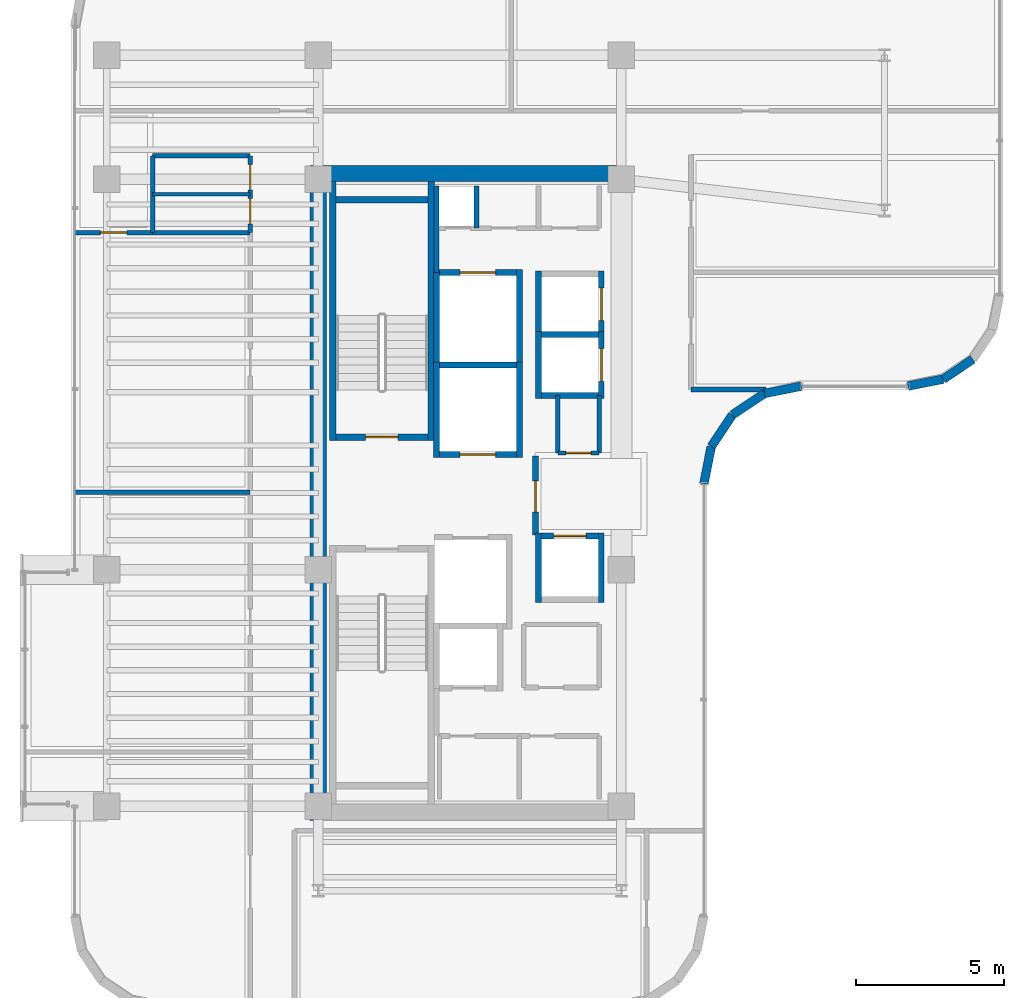
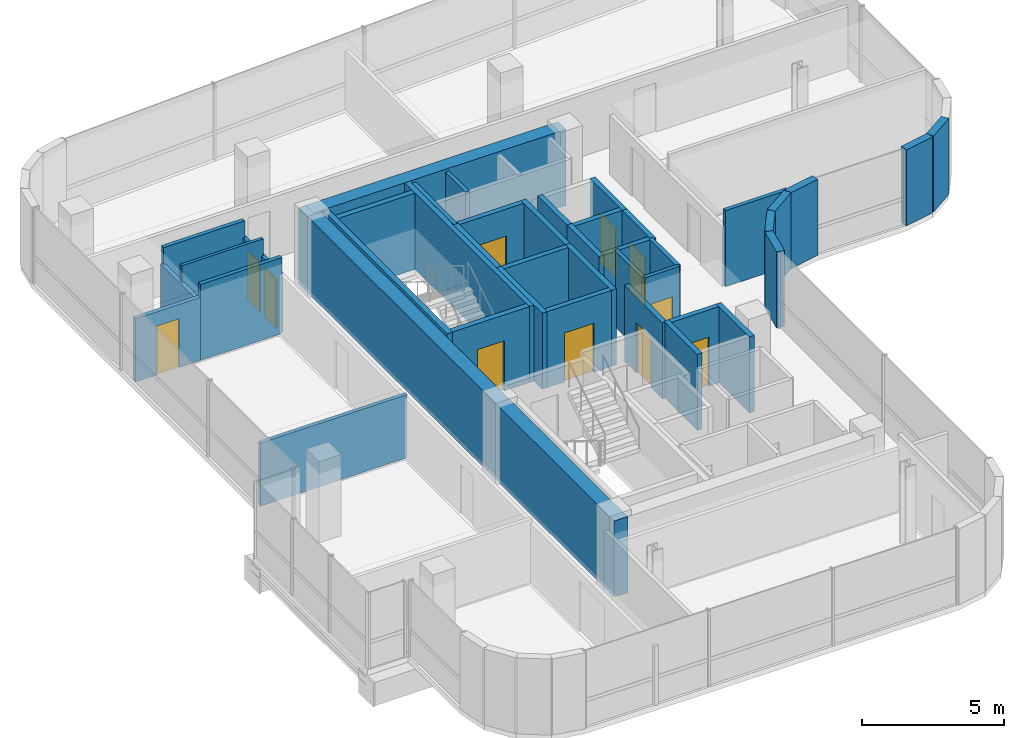
# One storey, part 19 of 22: 42 walls, 11 doors, 11 openings.
"""IFC4 building model written with IfcOpenShell, lengths in metres."""

from ifc_helpers import new_model, si_unit, direction, frame, frame_2d, origin, place, context, subcontext, project, spatial, rectangle, extrude, material, layer, layer_set, type_object, element, fill, save


model = new_model("IFC4")

# Units and contexts
model_context = context("Model", 3, precision=1e-05, world=origin(), true_north=direction((0.0, 1.0)))
body_context = subcontext(model_context, "Body", "Model", "MODEL_VIEW")
ifc_project = project(units=[si_unit("LENGTHUNIT", "METRE"), si_unit("AREAUNIT", "SQUARE_METRE"), si_unit("VOLUMEUNIT", "CUBIC_METRE"), si_unit("PLANEANGLEUNIT", "RADIAN"), si_unit("MASSUNIT", "GRAM", prefix="KILO")], contexts=[model_context])

# Site, building, storey
site_placement = place(None, origin())
site = spatial("IfcSite", under=ifc_project, at=site_placement, CompositionType="ELEMENT")
building_placement = place(site_placement, origin())
building = spatial("IfcBuilding", under=site, at=building_placement, Name="Valdorenza Pilgrim Sanctuary Tower", CompositionType="ELEMENT")
storey_placement = place(building_placement, frame((0.0, 0.0, 237.0)))
storey = spatial("IfcBuildingStorey", under=building, at=storey_placement, Name="L61", CompositionType="ELEMENT", Elevation=237.0)

# Walls
ifc_material_1 = material(Name="Acoustic twin-stud gypsum partition", Category="gypsum")
ifc_layer_1 = layer(ifc_material_1, 0.159912109375, Name="Acoustic twin-stud gypsum partition")
ifc_layer_set_1 = layer_set([ifc_layer_1], Name="Acoustic twin-stud gypsum partition")
wall_type_1 = type_object("IfcWallType", Name="WAL-COR-160", PredefinedType="PARTITIONING", material=ifc_layer_set_1)
wall_1_placement = place(storey_placement, frame((-18.64990234375, 7.449951171875, 0.0), z_axis=(0.0, 0.0, 1.0), x_axis=(0.0, 1.0, 0.0)))
element("IfcWall", 1, at=wall_1_placement, inside=storey, type_object=wall_type_1, Name="L61 Core A North Service West Wall", PredefinedType="PARTITIONING", context=body_context, shape_type="SweptSolid", body=[
    extrude(rectangle(XDim=2.929931640625, YDim=0.159912109375, at=frame_2d((1.46484375, 0.0))), origin(), (0.0, 0.0, 1.0), 3.260009765625),
])
wall_2_placement = place(storey_placement, frame((-17.300048828125, 8.949951171875, 0.0), z_axis=(0.0, 0.0, 1.0), x_axis=(0.0, 1.0, 0.0)))
element("IfcWall", 2, at=wall_2_placement, inside=storey, type_object=wall_type_1, Name="L61 Core Electrical Riser Wall", PredefinedType="PARTITIONING", context=body_context, shape_type="SweptSolid", body=[
    extrude(rectangle(XDim=1.429931640625, YDim=0.159912109375, at=frame_2d((0.71484375, 0.0))), origin(), (0.0, 0.0, 1.0), 3.260009765625),
])
wall_3_placement = place(storey_placement, frame((-13.14990234375, 1.35009765625, 0.0), z_axis=(0.0, 0.0, 1.0), x_axis=(0.0, 1.0, 0.0)))
element("IfcWall", 3, at=wall_3_placement, inside=storey, type_object=wall_type_1, Name="L61 Freed Shaft 6 East Wall", PredefinedType="PARTITIONING", context=body_context, shape_type="SweptSolid", body=[
    extrude(rectangle(XDim=1.949951171875, YDim=0.159912109375, at=frame_2d((0.97509765625, 0.0))), origin(), (0.0, 0.0, 1.0), 3.260009765625),
])
wall_4_placement = place(storey_placement, frame((-28.25, 8.800048828125, 0.0), z_axis=(0.0, 0.0, 1.0), x_axis=(0.0, 1.0, 0.0)))
element("IfcWall", 4, at=wall_4_placement, inside=storey, type_object=wall_type_1, Name="L61 Washroom West Wall", PredefinedType="PARTITIONING", context=body_context, shape_type="SweptSolid", body=[
    extrude(rectangle(XDim=2.599853515625, YDim=0.159912109375, at=frame_2d((1.2998046875, 0.0))), origin(), (0.0, 0.0, 1.0), 2.5439453125),
])

# Wall, openings, doors
wall_5_placement = place(storey_placement, frame((-24.949951171875, 8.800048828125, 0.0), z_axis=(0.0, 0.0, 1.0), x_axis=(0.0, 1.0, 0.0)))
wall_5 = element("IfcWall", 5, at=wall_5_placement, inside=storey, type_object=wall_type_1, Name="L61 Washroom East Wall", PredefinedType="PARTITIONING", context=body_context, shape_type="SweptSolid", body=[
    extrude(rectangle(XDim=2.599853515625, YDim=0.159912109375, at=frame_2d((1.2998046875, 0.0))), origin(), (0.0, 0.0, 1.0), 2.5439453125),
])
opening_1_placement = place(wall_5_placement, frame((0.300048828125, 0.0, 0.0)))
opening_1 = element("IfcOpeningElement", 6, at=opening_1_placement, cuts=wall_5, Name="Opening DR-WC1", PredefinedType="OPENING", context=body_context, shape_type="SweptSolid", body=[
    extrude(rectangle(XDim=0.85009765625, YDim=2.10009765625, at=frame_2d((0.425048828125, 1.050048828125))), frame((0.0, 0.0947265625, 0.0), z_axis=(0.0, -1.0, 0.0), x_axis=(1.0, 0.0, 0.0)), (0.0, 0.0, 1.0), 0.189697265625),
])
opening_2_placement = place(wall_5_placement, frame((1.449951171875, 0.0, 0.0)))
opening_2 = element("IfcOpeningElement", 7, at=opening_2_placement, cuts=wall_5, Name="Opening DR-WC1", PredefinedType="OPENING", context=body_context, shape_type="SweptSolid", body=[
    extrude(rectangle(XDim=0.85009765625, YDim=2.10009765625, at=frame_2d((0.425048828125, 1.050048828125))), frame((0.0, 0.0947265625, 0.0), z_axis=(0.0, -1.0, 0.0), x_axis=(1.0, 0.0, 0.0)), (0.0, 0.0, 1.0), 0.189697265625),
])
ifc_material_2 = material(Name="Moisture-resistant lacquered timber", Category="wood")
door_type_1 = type_object("IfcDoorType", Name="DR-BATH-850", OperationType="NOTDEFINED", PredefinedType="DOOR", material=ifc_material_2)
door_1_placement = place(opening_1_placement, origin())
door_1 = element("IfcDoor", 8, at=door_1_placement, inside=storey, type_object=door_type_1, Name="L61 Accessible Washroom Door", OperationType="SINGLE_SWING_RIGHT", OverallHeight=2.10009765625, OverallWidth=0.85009765625, PredefinedType="DOOR", context=body_context, shape_type="SweptSolid", body=[
    extrude(rectangle(XDim=0.85009765625, YDim=2.10009765625, at=frame_2d((0.425048828125, 1.050048828125))), frame((0.0, 0.02490234375, 0.0), z_axis=(0.0, -1.0, 0.0), x_axis=(1.0, 0.0, 0.0)), (0.0, 0.0, 1.0), 0.050048828125),
])
fill(opening_1, door_1)
door_2_placement = place(opening_2_placement, origin())
door_2 = element("IfcDoor", 9, at=door_2_placement, inside=storey, type_object=door_type_1, Name="L61 Public Washroom Door", OperationType="SINGLE_SWING_LEFT", OverallHeight=2.10009765625, OverallWidth=0.85009765625, PredefinedType="DOOR", context=body_context, shape_type="SweptSolid", body=[
    extrude(rectangle(XDim=0.85009765625, YDim=2.10009765625, at=frame_2d((0.425048828125, 1.050048828125))), frame((0.0, 0.02490234375, 0.0), z_axis=(0.0, -1.0, 0.0), x_axis=(1.0, 0.0, 0.0)), (0.0, 0.0, 1.0), 0.050048828125),
])
fill(opening_2, door_2)

# Walls
for number, where, z_axis, x_axis, name in (
    (10, (-28.25, 8.800048828125, 0.0), (0.0, 0.0, 1.0), (1.0, 0.0, 0.0), "L61 Washroom South Wall"),
    (11, (-28.25, 11.39990234375, 0.0), (0.0, 0.0, 1.0), (1.0, 0.0, 0.0), "L61 Washroom North Wall"),
):
    element("IfcWall", number, at=place(storey_placement, frame(where, z_axis=z_axis, x_axis=x_axis)), inside=storey, type_object=wall_type_1, Name=name, PredefinedType="PARTITIONING", context=body_context, shape_type="SweptSolid", body=[
        extrude(rectangle(XDim=3.300048828125, YDim=0.159912109375, at=frame_2d((1.64990234375, 0.0))), origin(), (0.0, 0.0, 1.0), 3.260009765625),
    ])

# Wall, opening, door
wall_6_placement = place(storey_placement, frame((-30.889892578125, 8.800048828125, 0.0), z_axis=(0.0, 0.0, 1.0), x_axis=(1.0, 0.0, 0.0)))
wall_6 = element("IfcWall", 12, at=wall_6_placement, inside=storey, type_object=wall_type_1, Name="L61 West North Alcove Wall", PredefinedType="PARTITIONING", context=body_context, shape_type="SweptSolid", body=[
    extrude(rectangle(XDim=2.639892578125, YDim=0.159912109375, at=frame_2d((1.31982421875, 0.0))), origin(), (0.0, 0.0, 1.0), 2.7060546875),
])
opening_3_placement = place(wall_6_placement, frame((0.8701171875, 0.0, 0.0)))
opening_3 = element("IfcOpeningElement", 13, at=opening_3_placement, cuts=wall_6, Name="Opening DR-RM1", PredefinedType="OPENING", context=body_context, shape_type="SweptSolid", body=[
    extrude(rectangle(XDim=0.89990234375, YDim=2.10009765625, at=frame_2d((0.449951171875, 1.050048828125))), frame((0.0, 0.0947265625, 0.0), z_axis=(0.0, -1.0, 0.0), x_axis=(1.0, 0.0, 0.0)), (0.0, 0.0, 1.0), 0.189697265625),
])
ifc_material_3 = material(Name="Solid-core European oak timber", Category="wood")
door_type_2 = type_object("IfcDoorType", Name="DR-ROOM-900", OperationType="NOTDEFINED", PredefinedType="DOOR", material=ifc_material_3)
door_3_placement = place(opening_3_placement, origin())
door_3 = element("IfcDoor", 14, at=door_3_placement, inside=storey, type_object=door_type_2, Name="L61 Pilgrim Scholar Office L61-WN Door", OperationType="SINGLE_SWING_RIGHT", OverallHeight=2.10009765625, OverallWidth=0.89990234375, PredefinedType="DOOR", context=body_context, shape_type="SweptSolid", body=[
    extrude(rectangle(XDim=0.89990234375, YDim=2.10009765625, at=frame_2d((0.449951171875, 1.050048828125))), frame((0.0, 0.02490234375, 0.0), z_axis=(0.0, -1.0, 0.0), x_axis=(1.0, 0.0, 0.0)), (0.0, 0.0, 1.0), 0.050048828125),
])
fill(opening_3, door_3)

# Walls
wall_7_placement = place(storey_placement, frame((-10.050048828125, 3.5, 0.0), z_axis=(0.0, 0.0, 1.0), x_axis=(1.0, 0.0, 0.0)))
element("IfcWall", 15, at=wall_7_placement, inside=storey, type_object=wall_type_1, Name="L61 East Stub South Wall", PredefinedType="PARTITIONING", context=body_context, shape_type="SweptSolid", body=[
    extrude(rectangle(XDim=2.545654296875, YDim=0.159912109375, at=frame_2d((1.27294921875, 0.0))), origin(), (0.0, 0.0, 1.0), 3.260009765625),
])
ifc_material_4 = material(Name="Concrete C50/60", Category="concrete")
ifc_layer_2 = layer(ifc_material_4, 0.550048828125, Name="Concrete C50/60")
ifc_layer_set_2 = layer_set([ifc_layer_2], Name="Concrete C50/60")
wall_type_2 = type_object("IfcWallType", Name="WAL-COR-550", PredefinedType="SHEAR", material=ifc_layer_set_2)
wall_8_placement = place(storey_placement, frame((-22.64990234375, -11.074951171875, 0.0), z_axis=(0.0, 0.0, 1.0), x_axis=(0.0, 1.0, 0.0)))
element("IfcWall", 16, at=wall_8_placement, inside=storey, type_object=wall_type_2, Name="L61 Split Core A Shear Wall W", PredefinedType="SHEAR", context=body_context, shape_type="SweptSolid", body=[
    extrude(rectangle(XDim=22.14990234375, YDim=0.550048828125, at=frame_2d((11.074951171875, 0.0))), origin(), (0.0, 0.0, 1.0), 3.260009765625),
])
wall_9_placement = place(storey_placement, frame((-22.64990234375, 10.800048828125, 0.0), z_axis=(0.0, 0.0, 1.0), x_axis=(1.0, 0.0, 0.0)))
element("IfcWall", 17, at=wall_9_placement, inside=storey, type_object=wall_type_2, Name="L61 Split Core A Shear Wall N", PredefinedType="SHEAR", context=body_context, shape_type="SweptSolid", body=[
    extrude(rectangle(XDim=10.25, YDim=0.550048828125, at=frame_2d((5.125, 0.0))), origin(), (0.0, 0.0, 1.0), 3.260009765625),
])
ifc_material_5 = material(Name="Honed travertine limestone", Category="masonry")
ifc_layer_3 = layer(ifc_material_5, 0.300048828125, Name="Honed travertine limestone")
ifc_layer_set_3 = layer_set([ifc_layer_3], Name="Honed travertine limestone")
wall_type_3 = type_object("IfcWallType", Name="WAL-EXT-300", PredefinedType="SOLIDWALL", material=ifc_layer_set_3)
wall_10_placement = place(storey_placement, frame((-0.5166015625, 4.5166015625, 0.0), z_axis=(0.0, 0.0, 1.0), x_axis=(-0.831426265255, -0.555635100982, 0.0)))
element("IfcWall", 18, at=wall_10_placement, inside=storey, type_object=wall_type_3, Name="L61 Rounded Wind-Corner Stone Pier 14", PredefinedType="SOLIDWALL", context=body_context, shape_type="SweptSolid", body=[
    extrude(rectangle(XDim=1.204833984375, YDim=0.300048828125, at=frame_2d((0.6025390625, 0.0))), origin(), (0.0, 0.0, 1.0), 3.260009765625),
])
wall_11_placement = place(storey_placement, frame((-1.518310546875, 3.84716796875, 0.0), z_axis=(0.0, 0.0, 1.0), x_axis=(-0.980804027463, -0.194996050505, 0.0)))
element("IfcWall", 19, at=wall_11_placement, inside=storey, type_object=wall_type_3, Name="L61 Rounded Wind-Corner Stone Pier 15", PredefinedType="SOLIDWALL", context=body_context, shape_type="SweptSolid", body=[
    extrude(rectangle(XDim=1.2158203125, YDim=0.300048828125, at=frame_2d((0.60791015625, 0.0))), origin(), (0.0, 0.0, 1.0), 3.260009765625),
])
wall_12_placement = place(storey_placement, frame((-6.310791015625, 3.610107421875, 0.0), z_axis=(0.0, 0.0, 1.0), x_axis=(-0.980778058848, -0.195126623715, 0.0)))
element("IfcWall", 20, at=wall_12_placement, inside=storey, type_object=wall_type_3, Name="L61 Rounded Wind-Corner Stone Pier 17", PredefinedType="SOLIDWALL", context=body_context, shape_type="SweptSolid", body=[
    extrude(rectangle(XDim=1.28125, YDim=0.300048828125, at=frame_2d((0.640625, 0.0))), origin(), (0.0, 0.0, 1.0), 3.260009765625),
])
for number, where, z_axis, x_axis, name in (
    (21, (-7.5673828125, 3.360107421875, 0.0), (0.0, 0.0, 1.0), (-0.831497739511, -0.555528135371, 0.0), "L61 Rounded Wind-Corner Stone Pier 18"),
    (22, (-8.64208984375, 2.64208984375, 0.0), (0.0, 0.0, 1.0), (-0.555528135371, -0.831497739511, 0.0), "L61 Rounded Wind-Corner Stone Pier 19"),
):
    element("IfcWall", number, at=place(storey_placement, frame(where, z_axis=z_axis, x_axis=x_axis)), inside=storey, type_object=wall_type_3, Name=name, PredefinedType="SOLIDWALL", context=body_context, shape_type="SweptSolid", body=[
        extrude(rectangle(XDim=1.29248046875, YDim=0.300048828125, at=frame_2d((0.646240234375, 0.0))), origin(), (0.0, 0.0, 1.0), 3.260009765625),
    ])
wall_13_placement = place(storey_placement, frame((-9.360107421875, 1.5673828125, 0.0), z_axis=(0.0, 0.0, 1.0), x_axis=(-0.195126623715, -0.980778058848, 0.0)))
element("IfcWall", 23, at=wall_13_placement, inside=storey, type_object=wall_type_3, Name="L61 Rounded Wind-Corner Stone Pier 20", PredefinedType="SOLIDWALL", context=body_context, shape_type="SweptSolid", body=[
    extrude(rectangle(XDim=1.28125, YDim=0.300048828125, at=frame_2d((0.640625, 0.0))), origin(), (0.0, 0.0, 1.0), 3.260009765625),
])

# Wall, opening, door
ifc_material_6 = material(Name="Gypsum shaftwall partition", Category="gypsum")
ifc_layer_4 = layer(ifc_material_6, 0.199951171875, Name="Gypsum shaftwall partition")
ifc_layer_set_4 = layer_set([ifc_layer_4], Name="Gypsum shaftwall partition")
wall_type_4 = type_object("IfcWallType", Name="WAL-FFL-200", PredefinedType="PARTITIONING", material=ifc_layer_set_4)
wall_14_placement = place(storey_placement, frame((-15.300048828125, -1.419921875, 0.0), z_axis=(0.0, 0.0, 1.0), x_axis=(0.0, 1.0, 0.0)))
wall_14 = element("IfcWall", 24, at=wall_14_placement, inside=storey, type_object=wall_type_4, Name="L61 Core A Firefighting Lobby East Wall", PredefinedType="PARTITIONING", context=body_context, shape_type="SweptSolid", body=[
    extrude(rectangle(XDim=2.669921875, YDim=0.199951171875, at=frame_2d((1.3349609375, 0.0))), origin(), (0.0, 0.0, 1.0), 3.260009765625),
])
opening_4_placement = place(wall_14_placement, frame((0.780029296875, 0.0, 0.0)))
opening_4 = element("IfcOpeningElement", 25, at=opening_4_placement, cuts=wall_14, Name="Opening DR-FL1", PredefinedType="OPENING", context=body_context, shape_type="SweptSolid", body=[
    extrude(rectangle(XDim=1.050048828125, YDim=2.14990234375, at=frame_2d((0.52490234375, 1.074951171875))), frame((0.0, 0.11474609375, 0.0), z_axis=(0.0, -1.0, 0.0), x_axis=(1.0, 0.0, 0.0)), (0.0, 0.0, 1.0), 0.229736328125),
])
ifc_material_7 = material(Name="Painted galvanized steel", Category="steel")
door_type_3 = type_object("IfcDoorType", Name="DR-FFL-1050", OperationType="NOTDEFINED", PredefinedType="DOOR", material=ifc_material_7)
door_4_placement = place(opening_4_placement, origin())
door_4 = element("IfcDoor", 26, at=door_4_placement, inside=storey, type_object=door_type_3, Name="L61 Core A Firefighting Lobby Door", OperationType="SINGLE_SWING_RIGHT", OverallHeight=2.14990234375, OverallWidth=1.050048828125, PredefinedType="DOOR", context=body_context, shape_type="SweptSolid", body=[
    extrude(rectangle(XDim=1.050048828125, YDim=2.14990234375, at=frame_2d((0.52490234375, 1.074951171875))), frame((0.0, 0.02490234375, 0.0), z_axis=(0.0, -1.0, 0.0), x_axis=(1.0, 0.0, 0.0)), (0.0, 0.0, 1.0), 0.050048828125),
])
fill(opening_4, door_4)

# Walls
ifc_material_8 = material(Name="Moisture-resistant gypsum partition", Category="gypsum")
ifc_layer_5 = layer(ifc_material_8, 0.1201171875, Name="Moisture-resistant gypsum partition")
ifc_layer_set_5 = layer_set([ifc_layer_5], Name="Moisture-resistant gypsum partition")
wall_type_5 = type_object("IfcWallType", Name="WAL-INT-120", PredefinedType="PARTITIONING", material=ifc_layer_set_5)
wall_15_placement = place(storey_placement, frame((-28.25, 10.10009765625, 0.0), z_axis=(0.0, 0.0, 1.0), x_axis=(1.0, 0.0, 0.0)))
element("IfcWall", 27, at=wall_15_placement, inside=storey, type_object=wall_type_5, Name="L61 Washroom Divider Wall", PredefinedType="PARTITIONING", context=body_context, shape_type="SweptSolid", body=[
    extrude(rectangle(XDim=3.300048828125, YDim=0.1201171875, at=frame_2d((1.64990234375, 0.0))), origin(), (0.0, 0.0, 1.0), 3.260009765625),
])
ifc_material_9 = material(Name="Autoclaved aerated concrete blockwork", Category="masonry")
ifc_layer_6 = layer(ifc_material_9, 0.199951171875, Name="Autoclaved aerated concrete blockwork")
ifc_layer_set_6 = layer_set([ifc_layer_6], Name="Autoclaved aerated concrete blockwork")
wall_type_6 = type_object("IfcWallType", Name="WAL-SHF-200", PredefinedType="MOVABLE", material=ifc_layer_set_6)
for number, where, z_axis, x_axis, name in (
    (28, (-18.64990234375, 1.199951171875, 0.0), (0.0, 0.0, 1.0), (0.0, 1.0, 0.0), "L61 Lift FFL-01 Hoistway Wall West"),
    (29, (-15.85009765625, 1.199951171875, 0.0), (0.0, 0.0, 1.0), (0.0, 1.0, 0.0), "L61 Lift FFL-01 Hoistway Wall East"),
):
    element("IfcWall", number, at=place(storey_placement, frame(where, z_axis=z_axis, x_axis=x_axis)), inside=storey, type_object=wall_type_6, Name=name, PredefinedType="MOVABLE", context=body_context, shape_type="SweptSolid", body=[
        extrude(rectangle(XDim=3.22509765625, YDim=0.199951171875, at=frame_2d((1.612548828125, 0.0))), origin(), (0.0, 0.0, 1.0), 3.260009765625),
    ])

# Wall, opening, door
wall_16_placement = place(storey_placement, frame((-18.550048828125, 1.300048828125, 0.0), z_axis=(0.0, 0.0, 1.0), x_axis=(1.0, 0.0, 0.0)))
wall_16 = element("IfcWall", 30, at=wall_16_placement, inside=storey, type_object=wall_type_6, Name="L61 Lift FFL-01 Hoistway Wall South", PredefinedType="MOVABLE", context=body_context, shape_type="SweptSolid", body=[
    extrude(rectangle(XDim=2.60009765625, YDim=0.199951171875, at=frame_2d((1.300048828125, 0.0))), origin(), (0.0, 0.0, 1.0), 3.260009765625),
])
opening_5_placement = place(wall_16_placement, frame((0.699951171875, 0.0, 0.0)))
opening_5 = element("IfcOpeningElement", 31, at=opening_5_placement, cuts=wall_16, Name="Opening LD-02", PredefinedType="OPENING", context=body_context, shape_type="SweptSolid", body=[
    extrude(rectangle(XDim=1.199951171875, YDim=2.10009765625, at=frame_2d((0.60009765625, 1.050048828125))), frame((0.0, 0.11474609375, 0.0), z_axis=(0.0, -1.0, 0.0), x_axis=(1.0, 0.0, 0.0)), (0.0, 0.0, 1.0), 0.229736328125),
])
ifc_material_10 = material(Name="Brushed stainless steel Grade 316", Category="steel")
door_type_4 = type_object("IfcDoorType", Name="DR-LFT-1200", OperationType="DOUBLE_DOOR_SLIDING", PredefinedType="DOOR", material=ifc_material_10)
door_5_placement = place(opening_5_placement, origin())
door_5 = element("IfcDoor", 32, at=door_5_placement, inside=storey, type_object=door_type_4, Name="L61 Lift FFL-01 Sliding Landing Door", OperationType="DOUBLE_DOOR_SLIDING", OverallHeight=2.10009765625, OverallWidth=1.199951171875, PredefinedType="DOOR", context=body_context, shape_type="SweptSolid", body=[
    extrude(rectangle(XDim=1.199951171875, YDim=2.10009765625, at=frame_2d((0.60009765625, 1.050048828125))), frame((0.0, 0.02490234375, 0.0), z_axis=(0.0, -1.0, 0.0), x_axis=(1.0, 0.0, 0.0)), (0.0, 0.0, 1.0), 0.050048828125),
])
fill(opening_5, door_5)

# Walls
wall_17_placement = place(storey_placement, frame((-18.550048828125, 4.324951171875, 0.0), z_axis=(0.0, 0.0, 1.0), x_axis=(1.0, 0.0, 0.0)))
element("IfcWall", 33, at=wall_17_placement, inside=storey, type_object=wall_type_6, Name="L61 Lift FFL-01 Hoistway Wall North", PredefinedType="MOVABLE", context=body_context, shape_type="SweptSolid", body=[
    extrude(rectangle(XDim=2.60009765625, YDim=0.199951171875, at=frame_2d((1.300048828125, 0.0))), origin(), (0.0, 0.0, 1.0), 3.260009765625),
])
for number, where, z_axis, x_axis, name in (
    (34, (-18.64990234375, 4.22509765625, 0.0), (0.0, 0.0, 1.0), (0.0, 1.0, 0.0), "L61 Lift SVL-01 Hoistway Wall West"),
    (35, (-15.85009765625, 4.22509765625, 0.0), (0.0, 0.0, 1.0), (0.0, 1.0, 0.0), "L61 Lift SVL-01 Hoistway Wall East"),
):
    element("IfcWall", number, at=place(storey_placement, frame(where, z_axis=z_axis, x_axis=x_axis)), inside=storey, type_object=wall_type_6, Name=name, PredefinedType="MOVABLE", context=body_context, shape_type="SweptSolid", body=[
        extrude(rectangle(XDim=3.324951171875, YDim=0.199951171875, at=frame_2d((1.66259765625, 0.0))), origin(), (0.0, 0.0, 1.0), 3.260009765625),
    ])

# Wall, opening, door
wall_18_placement = place(storey_placement, frame((-18.550048828125, 7.449951171875, 0.0), z_axis=(0.0, 0.0, 1.0), x_axis=(1.0, 0.0, 0.0)))
wall_18 = element("IfcWall", 36, at=wall_18_placement, inside=storey, type_object=wall_type_6, Name="L61 Lift SVL-01 Hoistway Wall North", PredefinedType="MOVABLE", context=body_context, shape_type="SweptSolid", body=[
    extrude(rectangle(XDim=2.60009765625, YDim=0.199951171875, at=frame_2d((1.300048828125, 0.0))), origin(), (0.0, 0.0, 1.0), 3.260009765625),
])
opening_6_placement = place(wall_18_placement, frame((0.699951171875, 0.0, 0.0)))
opening_6 = element("IfcOpeningElement", 37, at=opening_6_placement, cuts=wall_18, Name="Opening LD-02", PredefinedType="OPENING", context=body_context, shape_type="SweptSolid", body=[
    extrude(rectangle(XDim=1.199951171875, YDim=2.10009765625, at=frame_2d((0.60009765625, 1.050048828125))), frame((0.0, 0.11474609375, 0.0), z_axis=(0.0, -1.0, 0.0), x_axis=(1.0, 0.0, 0.0)), (0.0, 0.0, 1.0), 0.229736328125),
])
door_6_placement = place(opening_6_placement, origin())
door_6 = element("IfcDoor", 38, at=door_6_placement, inside=storey, type_object=door_type_4, Name="L61 Lift SVL-01 Sliding Landing Door", OperationType="DOUBLE_DOOR_SLIDING", OverallHeight=2.10009765625, OverallWidth=1.199951171875, PredefinedType="DOOR", context=body_context, shape_type="SweptSolid", body=[
    extrude(rectangle(XDim=1.199951171875, YDim=2.10009765625, at=frame_2d((0.60009765625, 1.050048828125))), frame((0.0, 0.02490234375, 0.0), z_axis=(0.0, -1.0, 0.0), x_axis=(1.0, 0.0, 0.0)), (0.0, 0.0, 1.0), 0.050048828125),
])
fill(opening_6, door_6)

# Wall
wall_19_placement = place(storey_placement, frame((-15.199951171875, 3.199951171875, 0.0), z_axis=(0.0, 0.0, 1.0), x_axis=(0.0, 1.0, 0.0)))
element("IfcWall", 39, at=wall_19_placement, inside=storey, type_object=wall_type_6, Name="L61 Lift PL-09 Hoistway Wall West", PredefinedType="MOVABLE", context=body_context, shape_type="SweptSolid", body=[
    extrude(rectangle(XDim=2.25, YDim=0.199951171875, at=frame_2d((1.125, 0.0))), origin(), (0.0, 0.0, 1.0), 3.260009765625),
])

# Wall, opening, door
wall_20_placement = place(storey_placement, frame((-13.080078125, 3.199951171875, 0.0), z_axis=(0.0, 0.0, 1.0), x_axis=(0.0, 1.0, 0.0)))
wall_20 = element("IfcWall", 40, at=wall_20_placement, inside=storey, type_object=wall_type_6, Name="L61 Lift PL-09 Hoistway Wall East", PredefinedType="MOVABLE", context=body_context, shape_type="SweptSolid", body=[
    extrude(rectangle(XDim=2.25, YDim=0.199951171875, at=frame_2d((1.125, 0.0))), origin(), (0.0, 0.0, 1.0), 3.260009765625),
])
opening_7_placement = place(wall_20_placement, frame((0.574951171875, 0.0, 0.0)))
opening_7 = element("IfcOpeningElement", 41, at=opening_7_placement, cuts=wall_20, Name="Opening LD-01", PredefinedType="OPENING", context=body_context, shape_type="SweptSolid", body=[
    extrude(rectangle(XDim=1.10009765625, YDim=2.10009765625, at=frame_2d((0.550048828125, 1.050048828125))), frame((0.0, 0.11474609375, 0.0), z_axis=(0.0, -1.0, 0.0), x_axis=(1.0, 0.0, 0.0)), (0.0, 0.0, 1.0), 0.229736328125),
])
door_type_5 = type_object("IfcDoorType", Name="DR-LFT-1100", OperationType="DOUBLE_DOOR_SLIDING", PredefinedType="DOOR", material=ifc_material_10)
door_7_placement = place(opening_7_placement, origin())
door_7 = element("IfcDoor", 42, at=door_7_placement, inside=storey, type_object=door_type_5, Name="L61 Lift PL-09 Sliding Landing Door", OperationType="DOUBLE_DOOR_SLIDING", OverallHeight=2.10009765625, OverallWidth=1.10009765625, PredefinedType="DOOR", context=body_context, shape_type="SweptSolid", body=[
    extrude(rectangle(XDim=1.10009765625, YDim=2.10009765625, at=frame_2d((0.550048828125, 1.050048828125))), frame((0.0, 0.02490234375, 0.0), z_axis=(0.0, -1.0, 0.0), x_axis=(1.0, 0.0, 0.0)), (0.0, 0.0, 1.0), 0.050048828125),
])
fill(opening_7, door_7)

# Walls
for number, where, z_axis, x_axis, name in (
    (43, (-15.10009765625, 3.300048828125, 0.0), (0.0, 0.0, 1.0), (1.0, 0.0, 0.0), "L61 Lift PL-09 Hoistway Wall South"),
    (44, (-15.10009765625, 5.35009765625, 0.0), (0.0, 0.0, 1.0), (1.0, 0.0, 0.0), "L61 Lift PL-09 Hoistway Wall North"),
):
    element("IfcWall", number, at=place(storey_placement, frame(where, z_axis=z_axis, x_axis=x_axis)), inside=storey, type_object=wall_type_6, Name=name, PredefinedType="MOVABLE", context=body_context, shape_type="SweptSolid", body=[
        extrude(rectangle(XDim=1.920166015625, YDim=0.199951171875, at=frame_2d((0.9599609375, 0.0))), origin(), (0.0, 0.0, 1.0), 3.260009765625),
    ])
wall_21_placement = place(storey_placement, frame((-15.199951171875, 5.25, 0.0), z_axis=(0.0, 0.0, 1.0), x_axis=(0.0, 1.0, 0.0)))
element("IfcWall", 45, at=wall_21_placement, inside=storey, type_object=wall_type_6, Name="L61 Lift PL-10 Hoistway Wall West", PredefinedType="MOVABLE", context=body_context, shape_type="SweptSolid", body=[
    extrude(rectangle(XDim=2.25, YDim=0.199951171875, at=frame_2d((1.125, 0.0))), origin(), (0.0, 0.0, 1.0), 3.260009765625),
])

# Wall, opening, door
wall_22_placement = place(storey_placement, frame((-13.080078125, 5.25, 0.0), z_axis=(0.0, 0.0, 1.0), x_axis=(0.0, 1.0, 0.0)))
wall_22 = element("IfcWall", 46, at=wall_22_placement, inside=storey, type_object=wall_type_6, Name="L61 Lift PL-10 Hoistway Wall East", PredefinedType="MOVABLE", context=body_context, shape_type="SweptSolid", body=[
    extrude(rectangle(XDim=2.25, YDim=0.199951171875, at=frame_2d((1.125, 0.0))), origin(), (0.0, 0.0, 1.0), 3.260009765625),
])
opening_8_placement = place(wall_22_placement, frame((0.574951171875, 0.0, 0.0)))
opening_8 = element("IfcOpeningElement", 47, at=opening_8_placement, cuts=wall_22, Name="Opening LD-01", PredefinedType="OPENING", context=body_context, shape_type="SweptSolid", body=[
    extrude(rectangle(XDim=1.10009765625, YDim=2.10009765625, at=frame_2d((0.550048828125, 1.050048828125))), frame((0.0, 0.11474609375, 0.0), z_axis=(0.0, -1.0, 0.0), x_axis=(1.0, 0.0, 0.0)), (0.0, 0.0, 1.0), 0.229736328125),
])
door_8_placement = place(opening_8_placement, origin())
door_8 = element("IfcDoor", 48, at=door_8_placement, inside=storey, type_object=door_type_5, Name="L61 Lift PL-10 Sliding Landing Door", OperationType="DOUBLE_DOOR_SLIDING", OverallHeight=2.10009765625, OverallWidth=1.10009765625, PredefinedType="DOOR", context=body_context, shape_type="SweptSolid", body=[
    extrude(rectangle(XDim=1.10009765625, YDim=2.10009765625, at=frame_2d((0.550048828125, 1.050048828125))), frame((0.0, 0.02490234375, 0.0), z_axis=(0.0, -1.0, 0.0), x_axis=(1.0, 0.0, 0.0)), (0.0, 0.0, 1.0), 0.050048828125),
])
fill(opening_8, door_8)

# Walls
for number, where, z_axis, x_axis, name in (
    (49, (-15.199951171875, -3.699951171875, 0.0), (0.0, 0.0, 1.0), (0.0, 1.0, 0.0), "L61 Lift PL-12 Hoistway Wall West"),
    (50, (-13.080078125, -3.699951171875, 0.0), (0.0, 0.0, 1.0), (0.0, 1.0, 0.0), "L61 Lift PL-12 Hoistway Wall East"),
):
    element("IfcWall", number, at=place(storey_placement, frame(where, z_axis=z_axis, x_axis=x_axis)), inside=storey, type_object=wall_type_6, Name=name, PredefinedType="MOVABLE", context=body_context, shape_type="SweptSolid", body=[
        extrude(rectangle(XDim=2.349853515625, YDim=0.199951171875, at=frame_2d((1.1748046875, 0.0))), origin(), (0.0, 0.0, 1.0), 3.260009765625),
    ])

# Wall, opening, door
wall_23_placement = place(storey_placement, frame((-15.10009765625, -1.449951171875, 0.0), z_axis=(0.0, 0.0, 1.0), x_axis=(1.0, 0.0, 0.0)))
wall_23 = element("IfcWall", 51, at=wall_23_placement, inside=storey, type_object=wall_type_6, Name="L61 Lift PL-12 Hoistway Wall North", PredefinedType="MOVABLE", context=body_context, shape_type="SweptSolid", body=[
    extrude(rectangle(XDim=1.920166015625, YDim=0.199951171875, at=frame_2d((0.9599609375, 0.0))), origin(), (0.0, 0.0, 1.0), 3.260009765625),
])
opening_9_placement = place(wall_23_placement, frame((0.409912109375, 0.0, 0.0)))
opening_9 = element("IfcOpeningElement", 52, at=opening_9_placement, cuts=wall_23, Name="Opening LD-01", PredefinedType="OPENING", context=body_context, shape_type="SweptSolid", body=[
    extrude(rectangle(XDim=1.10009765625, YDim=2.10009765625, at=frame_2d((0.550048828125, 1.050048828125))), frame((0.0, 0.11474609375, 0.0), z_axis=(0.0, -1.0, 0.0), x_axis=(1.0, 0.0, 0.0)), (0.0, 0.0, 1.0), 0.229736328125),
])
door_9_placement = place(opening_9_placement, origin())
door_9 = element("IfcDoor", 53, at=door_9_placement, inside=storey, type_object=door_type_5, Name="L61 Lift PL-12 Sliding Landing Door", OperationType="DOUBLE_DOOR_SLIDING", OverallHeight=2.10009765625, OverallWidth=1.10009765625, PredefinedType="DOOR", context=body_context, shape_type="SweptSolid", body=[
    extrude(rectangle(XDim=1.10009765625, YDim=2.10009765625, at=frame_2d((0.550048828125, 1.050048828125))), frame((0.0, 0.02490234375, 0.0), z_axis=(0.0, -1.0, 0.0), x_axis=(1.0, 0.0, 0.0)), (0.0, 0.0, 1.0), 0.050048828125),
])
fill(opening_9, door_9)

# Walls
ifc_material_11 = material(Name="Concrete C40/50", Category="concrete")
ifc_layer_7 = layer(ifc_material_11, 0.219970703125, Name="Concrete C40/50")
ifc_layer_set_7 = layer_set([ifc_layer_7], Name="Concrete C40/50")
wall_type_7 = type_object("IfcWallType", Name="WAL-STR-SHF-220", PredefinedType="SHEAR", material=ifc_layer_set_7)
for number, where, z_axis, x_axis, name in (
    (54, (-22.159912109375, 1.780029296875, 0.0), (0.0, 0.0, 1.0), (0.0, 1.0, 0.0), "L61 ST-A1 Structural Stairwell Wall W"),
    (55, (-18.830078125, 1.780029296875, 0.0), (0.0, 0.0, 1.0), (0.0, 1.0, 0.0), "L61 ST-A1 Structural Stairwell Wall E"),
):
    element("IfcWall", number, at=place(storey_placement, frame(where, z_axis=z_axis, x_axis=x_axis)), inside=storey, type_object=wall_type_7, Name=name, PredefinedType="SHEAR", context=body_context, shape_type="SweptSolid", body=[
        extrude(rectangle(XDim=8.744873046875, YDim=0.219970703125, at=frame_2d((4.37255859375, 0.0))), origin(), (0.0, 0.0, 1.0), 3.260009765625),
    ])

# Wall, opening, door
wall_24_placement = place(storey_placement, frame((-22.050048828125, 1.889892578125, 0.0), z_axis=(0.0, 0.0, 1.0), x_axis=(1.0, 0.0, 0.0)))
wall_24 = element("IfcWall", 56, at=wall_24_placement, inside=storey, type_object=wall_type_7, Name="L61 ST-A1 Structural Stairwell Wall S", PredefinedType="SHEAR", context=body_context, shape_type="SweptSolid", body=[
    extrude(rectangle(XDim=3.110107421875, YDim=0.219970703125, at=frame_2d((1.55517578125, 0.0))), origin(), (0.0, 0.0, 1.0), 3.260009765625),
])
opening_10_placement = place(wall_24_placement, frame((1.0, 0.0, 0.0)))
opening_10 = element("IfcOpeningElement", 57, at=opening_10_placement, cuts=wall_24, Name="Opening DR-ST1", PredefinedType="OPENING", context=body_context, shape_type="SweptSolid", body=[
    extrude(rectangle(XDim=1.10009765625, YDim=2.14990234375, at=frame_2d((0.550048828125, 1.074951171875))), frame((0.0, 0.125, 0.0), z_axis=(0.0, -1.0, 0.0), x_axis=(1.0, 0.0, 0.0)), (0.0, 0.0, 1.0), 0.249755859375),
])
door_type_6 = type_object("IfcDoorType", Name="DR-STAIR-1100", OperationType="NOTDEFINED", PredefinedType="DOOR", material=ifc_material_7)
door_10_placement = place(opening_10_placement, frame((1.10009765625, 0.0, 0.0), z_axis=(0.0, 0.0, 1.0), x_axis=(-1.0, 0.0, 0.0)))
door_10 = element("IfcDoor", 58, at=door_10_placement, inside=storey, type_object=door_type_6, Name="L61 Exit Stair ST-A1 Door", OperationType="SINGLE_SWING_LEFT", OverallHeight=2.14990234375, OverallWidth=1.10009765625, PredefinedType="DOOR", context=body_context, shape_type="SweptSolid", body=[
    extrude(rectangle(XDim=1.10009765625, YDim=2.14990234375, at=frame_2d((0.550048828125, 1.074951171875))), frame((0.0, 0.02490234375, 0.0), z_axis=(0.0, -1.0, 0.0), x_axis=(1.0, 0.0, 0.0)), (0.0, 0.0, 1.0), 0.050048828125),
])
fill(opening_10, door_10)

# Walls
wall_25_placement = place(storey_placement, frame((-22.050048828125, 9.909912109375, 0.0), z_axis=(0.0, 0.0, 1.0), x_axis=(1.0, 0.0, 0.0)))
element("IfcWall", 59, at=wall_25_placement, inside=storey, type_object=wall_type_7, Name="L61 ST-A1 Structural Stairwell Wall N", PredefinedType="SHEAR", context=body_context, shape_type="SweptSolid", body=[
    extrude(rectangle(XDim=3.110107421875, YDim=0.219970703125, at=frame_2d((1.55517578125, 0.0))), origin(), (0.0, 0.0, 1.0), 3.260009765625),
])
ifc_layer_8 = layer(ifc_material_1, 0.14990234375, Name="Acoustic twin-stud gypsum partition")
ifc_layer_set_8 = layer_set([ifc_layer_8], Name="Acoustic twin-stud gypsum partition")
wall_type_8 = type_object("IfcWallType", Name="WAL-UNT-150", PredefinedType="PARTITIONING", material=ifc_layer_set_8)
wall_26_placement = place(storey_placement, frame((-14.550048828125, 1.35009765625, 0.0), z_axis=(0.0, 0.0, 1.0), x_axis=(0.0, 1.0, 0.0)))
element("IfcWall", 60, at=wall_26_placement, inside=storey, type_object=wall_type_8, Name="L61 Freed Shaft 6 West Wall", PredefinedType="PARTITIONING", context=body_context, shape_type="SweptSolid", body=[
    extrude(rectangle(XDim=1.949951171875, YDim=0.14990234375, at=frame_2d((0.97509765625, 0.0))), origin(), (0.0, 0.0, 1.0), 3.260009765625),
])

# Wall, opening, door
wall_27_placement = place(storey_placement, frame((-14.550048828125, 1.35009765625, 0.0), z_axis=(0.0, 0.0, 1.0), x_axis=(1.0, 0.0, 0.0)))
wall_27 = element("IfcWall", 61, at=wall_27_placement, inside=storey, type_object=wall_type_8, Name="L61 Freed Shaft 6 South Wall", PredefinedType="PARTITIONING", context=body_context, shape_type="SweptSolid", body=[
    extrude(rectangle(XDim=1.400146484375, YDim=0.14990234375, at=frame_2d((0.7001953125, 0.0))), origin(), (0.0, 0.0, 1.0), 3.260009765625),
])
opening_11_placement = place(wall_27_placement, frame((0.27490234375, 0.0, 0.0)))
opening_11 = element("IfcOpeningElement", 62, at=opening_11_placement, cuts=wall_27, Name="Opening DR-RS1", PredefinedType="OPENING", context=body_context, shape_type="SweptSolid", body=[
    extrude(rectangle(XDim=0.85009765625, YDim=2.050048828125, at=frame_2d((0.425048828125, 1.02490234375))), frame((0.0, 0.08984375, 0.0), z_axis=(0.0, -1.0, 0.0), x_axis=(1.0, 0.0, 0.0)), (0.0, 0.0, 1.0), 0.1796875),
])
door_type_7 = type_object("IfcDoorType", Name="DR-RSR-850", OperationType="NOTDEFINED", PredefinedType="DOOR", material=ifc_material_7)
door_11_placement = place(opening_11_placement, origin())
door_11 = element("IfcDoor", 63, at=door_11_placement, inside=storey, type_object=door_type_7, Name="L61 High-Rise Butler Pantry Door", OperationType="SINGLE_SWING_LEFT", OverallHeight=2.050048828125, OverallWidth=0.85009765625, PredefinedType="DOOR", context=body_context, shape_type="SweptSolid", body=[
    extrude(rectangle(XDim=0.85009765625, YDim=2.050048828125, at=frame_2d((0.425048828125, 1.02490234375))), frame((0.0, 0.02490234375, 0.0), z_axis=(0.0, -1.0, 0.0), x_axis=(1.0, 0.0, 0.0)), (0.0, 0.0, 1.0), 0.050048828125),
])
fill(opening_11, door_11)

# Wall
wall_28_placement = place(storey_placement, frame((-30.889892578125, 0.02001953125, 0.0), z_axis=(0.0, 0.0, 1.0), x_axis=(1.0, 0.0, 0.0)))
element("IfcWall", 64, at=wall_28_placement, inside=storey, type_object=wall_type_8, Name="L61 Private Banquet Dining Room L61 Demising Wall", PredefinedType="PARTITIONING", context=body_context, shape_type="SweptSolid", body=[
    extrude(rectangle(XDim=5.93994140625, YDim=0.14990234375, at=frame_2d((2.969970703125, 0.0))), origin(), (0.0, 0.0, 1.0), 2.7060546875),
])

save(model, "model.ifc")
